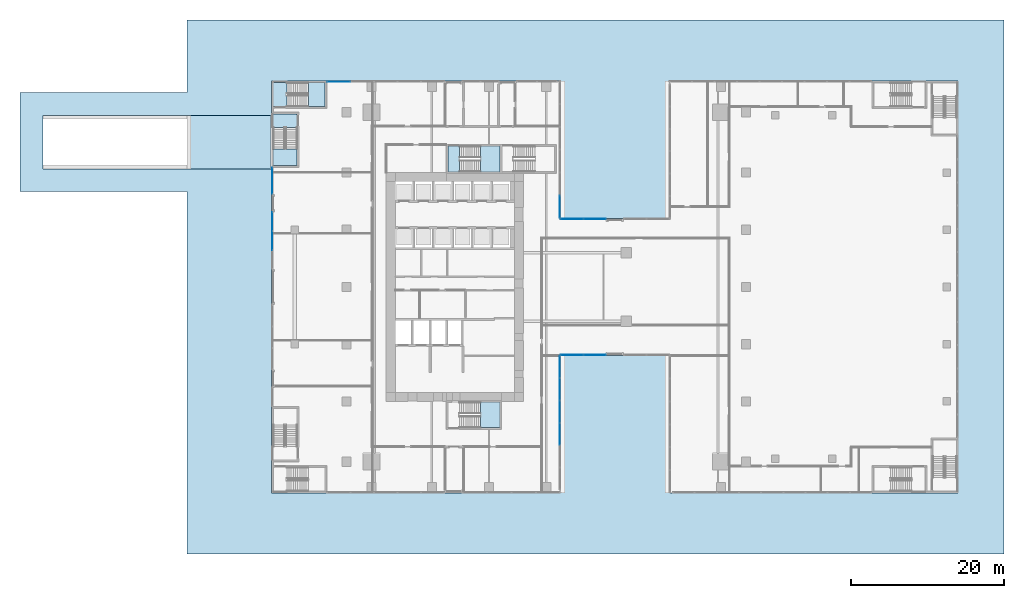
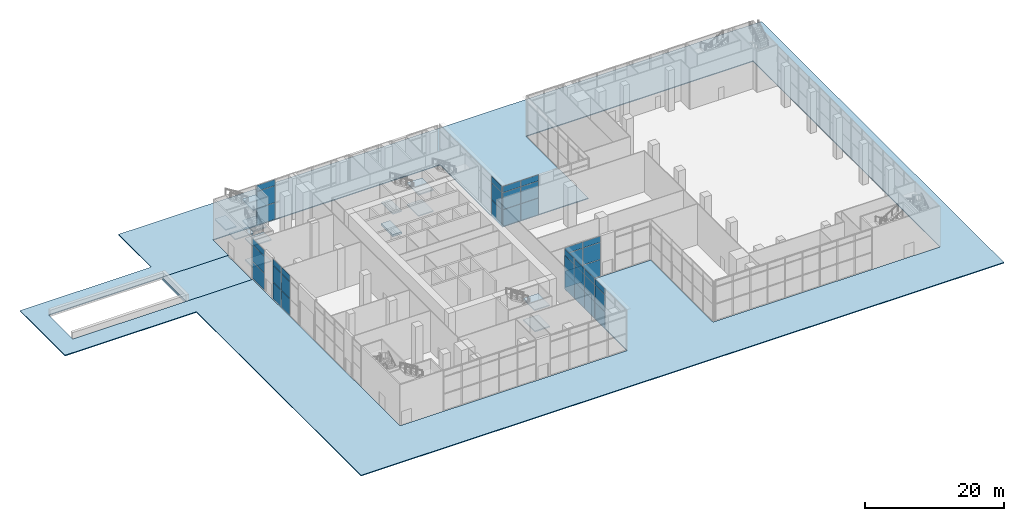
# One storey, part 32 of 52: 39 plates, 14 slabs, 11 elements without a shape of their own.
"""IFC4 building model written with IfcOpenShell, lengths in metres."""

from ifc_helpers import new_model, si_unit, direction, frame, origin, origin_2d, place, context, subcontext, project, spatial, polyline, rectangle, outline, extrude, source, transform, mapped, material, layer, layer_set, type_object, element, aggregate, save


model = new_model("IFC4")

# Units and contexts
model_context = context("Model", 3, precision=1e-05, world=origin(), true_north=direction((0.0, 1.0)))
body_context = subcontext(model_context, "Body", "Model", "MODEL_VIEW")
ifc_project = project(units=[si_unit("LENGTHUNIT", "METRE"), si_unit("AREAUNIT", "SQUARE_METRE"), si_unit("VOLUMEUNIT", "CUBIC_METRE"), si_unit("PLANEANGLEUNIT", "RADIAN"), si_unit("MASSUNIT", "GRAM", prefix="KILO")], contexts=[model_context])

# Site, building, storey
site_placement = place(None, origin())
site = spatial("IfcSite", under=ifc_project, at=site_placement, CompositionType="ELEMENT")
building_placement = place(site_placement, origin())
building = spatial("IfcBuilding", under=site, at=building_placement, Name="Khomas Fold Tower", CompositionType="ELEMENT")
storey_placement = place(building_placement, origin())
storey = spatial("IfcBuildingStorey", under=building, at=storey_placement, Name="L00", CompositionType="ELEMENT", Elevation=0.0)

# Curtain wall, plates
ifc_material_1 = material(Name="Aluminium framed double glazing", Category="aluminium")
curtain_wall_type = type_object("IfcCurtainWallType", Name="Shopfront glazing PD-CW", PredefinedType="NOTDEFINED", material=ifc_material_1)
curtain_wall_1_placement = place(storey_placement, origin())
curtain_wall_1 = element("IfcCurtainWall", 1, at=curtain_wall_1_placement, inside=storey, type_object=curtain_wall_type, Name="Podium shopfront run", PredefinedType="NOTDEFINED")
ifc_material_2 = material(Name="Double glazed unit")
ifc_layer_1 = layer(ifc_material_2, 0.031982421875)
ifc_layer_set_1 = layer_set([ifc_layer_1], Name="Double glazed unit")
plate_type = type_object("IfcPlateType", Name="Shopfront glazing panel PD-CW-P", PredefinedType="CURTAIN_PANEL", material=ifc_layer_set_1)
shared_shape_1 = source(origin(), body_context, "Body", "SweptSolid", [
    extrude(rectangle(XDim=3.419921875, YDim=0.031982421875, at=origin_2d()), origin(), (0.0, 0.0, 1.0), 2.909912109375),
])
plate_1_placement = place(storey_placement, frame((-8.919921875, 40.919921875, 0.06005859375), z_axis=(0.0, 0.0, 1.0), x_axis=(0.0, -1.0, 0.0)))
plate_1 = element("IfcPlate", 2, at=plate_1_placement, type_object=plate_type, Name="PD-CW panel 1.1", PredefinedType="CURTAIN_PANEL", context=body_context, shape_type="MappedRepresentation", body=[
    mapped(shared_shape_1, transform((0.0, 0.0, 0.0))),
])
shared_shape_2 = source(origin(), body_context, "Body", "SweptSolid", [
    extrude(rectangle(XDim=3.419921875, YDim=0.031982421875, at=origin_2d()), origin(), (0.0, 0.0, 1.0), 2.93994140625),
])
plate_2_placement = place(storey_placement, frame((-8.919921875, 40.919921875, 3.030029296875), z_axis=(0.0, 0.0, 1.0), x_axis=(0.0, -1.0, 0.0)))
plate_2 = element("IfcPlate", 3, at=plate_2_placement, type_object=plate_type, Name="PD-CW panel 1.2", PredefinedType="CURTAIN_PANEL", context=body_context, shape_type="MappedRepresentation", body=[
    mapped(shared_shape_2, transform((0.0, 0.0, 0.0))),
])
shared_shape_3 = source(origin(), body_context, "Body", "SweptSolid", [
    extrude(rectangle(XDim=3.419921875, YDim=0.031982421875, at=origin_2d()), origin(), (0.0, 0.0, 1.0), 1.06005859375),
])
plate_3_placement = place(storey_placement, frame((-8.919921875, 40.919921875, 6.030029296875), z_axis=(0.0, 0.0, 1.0), x_axis=(0.0, -1.0, 0.0)))
plate_3 = element("IfcPlate", 4, at=plate_3_placement, type_object=plate_type, Name="PD-CW panel 1.3", PredefinedType="CURTAIN_PANEL", context=body_context, shape_type="MappedRepresentation", body=[
    mapped(shared_shape_3, transform((0.0, 0.0, 0.0))),
])
aggregate(curtain_wall_1, [plate_1, plate_2, plate_3])

curtain_wall_2_placement = place(storey_placement, origin())
curtain_wall_2 = element("IfcCurtainWall", 5, at=curtain_wall_2_placement, inside=storey, type_object=curtain_wall_type, Name="Podium shopfront run", PredefinedType="NOTDEFINED")
shared_shape_4 = source(origin(), body_context, "Body", "SweptSolid", [
    extrude(rectangle(XDim=2.4267578125, YDim=0.031982421875, at=origin_2d()), origin(), (0.0, 0.0, 1.0), 2.909912109375),
])
plate_4_placement = place(storey_placement, frame((-8.919921875, 35.57666015625, 0.06005859375), z_axis=(0.0, 0.0, 1.0), x_axis=(0.0, -1.0, 0.0)))
plate_4 = element("IfcPlate", 6, at=plate_4_placement, type_object=plate_type, Name="PD-CW panel 1.1", PredefinedType="CURTAIN_PANEL", context=body_context, shape_type="MappedRepresentation", body=[
    mapped(shared_shape_4, transform((0.0, 0.0, 0.0))),
])
shared_shape_5 = source(origin(), body_context, "Body", "SweptSolid", [
    extrude(rectangle(XDim=2.4267578125, YDim=0.031982421875, at=origin_2d()), origin(), (0.0, 0.0, 1.0), 2.93994140625),
])
plate_5_placement = place(storey_placement, frame((-8.919921875, 35.57666015625, 3.030029296875), z_axis=(0.0, 0.0, 1.0), x_axis=(0.0, -1.0, 0.0)))
plate_5 = element("IfcPlate", 7, at=plate_5_placement, type_object=plate_type, Name="PD-CW panel 1.2", PredefinedType="CURTAIN_PANEL", context=body_context, shape_type="MappedRepresentation", body=[
    mapped(shared_shape_5, transform((0.0, 0.0, 0.0))),
])
shared_shape_6 = source(origin(), body_context, "Body", "SweptSolid", [
    extrude(rectangle(XDim=2.4267578125, YDim=0.031982421875, at=origin_2d()), origin(), (0.0, 0.0, 1.0), 1.06005859375),
])
plate_6_placement = place(storey_placement, frame((-8.919921875, 35.57666015625, 6.030029296875), z_axis=(0.0, 0.0, 1.0), x_axis=(0.0, -1.0, 0.0)))
plate_6 = element("IfcPlate", 8, at=plate_6_placement, type_object=plate_type, Name="PD-CW panel 1.3", PredefinedType="CURTAIN_PANEL", context=body_context, shape_type="MappedRepresentation", body=[
    mapped(shared_shape_6, transform((0.0, 0.0, 0.0))),
])
shared_shape_7 = source(origin(), body_context, "Body", "SweptSolid", [
    extrude(rectangle(XDim=2.456787109375, YDim=0.031982421875, at=origin_2d()), origin(), (0.0, 0.0, 1.0), 2.909912109375),
])
plate_7_placement = place(storey_placement, frame((-8.919921875, 33.074951171875, 0.06005859375), z_axis=(0.0, 0.0, 1.0), x_axis=(0.0, -1.0, 0.0)))
plate_7 = element("IfcPlate", 9, at=plate_7_placement, type_object=plate_type, Name="PD-CW panel 2.1", PredefinedType="CURTAIN_PANEL", context=body_context, shape_type="MappedRepresentation", body=[
    mapped(shared_shape_7, transform((0.0, 0.0, 0.0))),
])
shared_shape_8 = source(origin(), body_context, "Body", "SweptSolid", [
    extrude(rectangle(XDim=2.456787109375, YDim=0.031982421875, at=origin_2d()), origin(), (0.0, 0.0, 1.0), 2.93994140625),
])
plate_8_placement = place(storey_placement, frame((-8.919921875, 33.074951171875, 3.030029296875), z_axis=(0.0, 0.0, 1.0), x_axis=(0.0, -1.0, 0.0)))
plate_8 = element("IfcPlate", 10, at=plate_8_placement, type_object=plate_type, Name="PD-CW panel 2.2", PredefinedType="CURTAIN_PANEL", context=body_context, shape_type="MappedRepresentation", body=[
    mapped(shared_shape_8, transform((0.0, 0.0, 0.0))),
])
shared_shape_9 = source(origin(), body_context, "Body", "SweptSolid", [
    extrude(rectangle(XDim=2.456787109375, YDim=0.031982421875, at=origin_2d()), origin(), (0.0, 0.0, 1.0), 1.06005859375),
])
plate_9_placement = place(storey_placement, frame((-8.919921875, 33.074951171875, 6.030029296875), z_axis=(0.0, 0.0, 1.0), x_axis=(0.0, -1.0, 0.0)))
plate_9 = element("IfcPlate", 11, at=plate_9_placement, type_object=plate_type, Name="PD-CW panel 2.3", PredefinedType="CURTAIN_PANEL", context=body_context, shape_type="MappedRepresentation", body=[
    mapped(shared_shape_9, transform((0.0, 0.0, 0.0))),
])
aggregate(curtain_wall_2, [plate_4, plate_5, plate_6, plate_7, plate_8, plate_9])

curtain_wall_3_placement = place(storey_placement, origin())
curtain_wall_3 = element("IfcCurtainWall", 12, at=curtain_wall_3_placement, inside=storey, type_object=curtain_wall_type, Name="Podium shopfront run", PredefinedType="NOTDEFINED")
shared_shape_10 = source(origin(), body_context, "Body", "SweptSolid", [
    extrude(rectangle(XDim=3.008056640625, YDim=0.031982421875, at=origin_2d()), origin(), (0.0, 0.0, 1.0), 2.909912109375),
])
plate_10_placement = place(storey_placement, frame((-0.22607421875, 53.919921875, 0.06005859375), z_axis=(0.0, 0.0, 1.0), x_axis=(-1.0, 0.0, 0.0)))
plate_10 = element("IfcPlate", 13, at=plate_10_placement, type_object=plate_type, Name="PD-CW panel 5.1", PredefinedType="CURTAIN_PANEL", context=body_context, shape_type="MappedRepresentation", body=[
    mapped(shared_shape_10, transform((0.0, 0.0, 0.0))),
])
shared_shape_11 = source(origin(), body_context, "Body", "SweptSolid", [
    extrude(rectangle(XDim=3.008056640625, YDim=0.031982421875, at=origin_2d()), origin(), (0.0, 0.0, 1.0), 2.93994140625),
])
plate_11_placement = place(storey_placement, frame((-0.22607421875, 53.919921875, 3.030029296875), z_axis=(0.0, 0.0, 1.0), x_axis=(-1.0, 0.0, 0.0)))
plate_11 = element("IfcPlate", 14, at=plate_11_placement, type_object=plate_type, Name="PD-CW panel 5.2", PredefinedType="CURTAIN_PANEL", context=body_context, shape_type="MappedRepresentation", body=[
    mapped(shared_shape_11, transform((0.0, 0.0, 0.0))),
])
shared_shape_12 = source(origin(), body_context, "Body", "SweptSolid", [
    extrude(rectangle(XDim=3.008056640625, YDim=0.031982421875, at=origin_2d()), origin(), (0.0, 0.0, 1.0), 1.06005859375),
])
plate_12_placement = place(storey_placement, frame((-0.22607421875, 53.919921875, 6.030029296875), z_axis=(0.0, 0.0, 1.0), x_axis=(-1.0, 0.0, 0.0)))
plate_12 = element("IfcPlate", 15, at=plate_12_placement, type_object=plate_type, Name="PD-CW panel 5.3", PredefinedType="CURTAIN_PANEL", context=body_context, shape_type="MappedRepresentation", body=[
    mapped(shared_shape_12, transform((0.0, 0.0, 0.0))),
])
aggregate(curtain_wall_3, [plate_10, plate_11, plate_12])

curtain_wall_4_placement = place(storey_placement, origin())
curtain_wall_4 = element("IfcCurtainWall", 16, at=curtain_wall_4_placement, inside=storey, type_object=curtain_wall_type, Name="Podium shopfront run", PredefinedType="NOTDEFINED")
shared_shape_13 = source(origin(), body_context, "Body", "SweptSolid", [
    extrude(rectangle(XDim=2.84326171875, YDim=0.031982421875, at=origin_2d()), origin(), (0.0, 0.0, 1.0), 2.909912109375),
])
plate_13_placement = place(storey_placement, frame((28.77001953125, 16.518310546875, 0.06005859375), z_axis=(0.0, 0.0, 1.0), x_axis=(0.0, 1.0, 0.0)))
plate_13 = element("IfcPlate", 17, at=plate_13_placement, type_object=plate_type, Name="PD-CW panel 6.1", PredefinedType="CURTAIN_PANEL", context=body_context, shape_type="MappedRepresentation", body=[
    mapped(shared_shape_13, transform((0.0, 0.0, 0.0))),
])
shared_shape_14 = source(origin(), body_context, "Body", "SweptSolid", [
    extrude(rectangle(XDim=2.84326171875, YDim=0.031982421875, at=origin_2d()), origin(), (0.0, 0.0, 1.0), 2.93994140625),
])
plate_14_placement = place(storey_placement, frame((28.77001953125, 16.518310546875, 3.030029296875), z_axis=(0.0, 0.0, 1.0), x_axis=(0.0, 1.0, 0.0)))
plate_14 = element("IfcPlate", 18, at=plate_14_placement, type_object=plate_type, Name="PD-CW panel 6.2", PredefinedType="CURTAIN_PANEL", context=body_context, shape_type="MappedRepresentation", body=[
    mapped(shared_shape_14, transform((0.0, 0.0, 0.0))),
])
shared_shape_15 = source(origin(), body_context, "Body", "SweptSolid", [
    extrude(rectangle(XDim=2.84326171875, YDim=0.031982421875, at=origin_2d()), origin(), (0.0, 0.0, 1.0), 1.06005859375),
])
plate_15_placement = place(storey_placement, frame((28.77001953125, 16.518310546875, 6.030029296875), z_axis=(0.0, 0.0, 1.0), x_axis=(0.0, 1.0, 0.0)))
plate_15 = element("IfcPlate", 19, at=plate_15_placement, type_object=plate_type, Name="PD-CW panel 6.3", PredefinedType="CURTAIN_PANEL", context=body_context, shape_type="MappedRepresentation", body=[
    mapped(shared_shape_15, transform((0.0, 0.0, 0.0))),
])
shared_shape_16 = source(origin(), body_context, "Body", "SweptSolid", [
    extrude(rectangle(XDim=2.873291015625, YDim=0.031982421875, at=origin_2d()), origin(), (0.0, 0.0, 1.0), 2.909912109375),
])
plate_16_placement = place(storey_placement, frame((28.77001953125, 7.7333984375, 0.06005859375), z_axis=(0.0, 0.0, 1.0), x_axis=(0.0, 1.0, 0.0)))
plate_16 = element("IfcPlate", 20, at=plate_16_placement, type_object=plate_type, Name="PD-CW panel 3.1", PredefinedType="CURTAIN_PANEL", context=body_context, shape_type="MappedRepresentation", body=[
    mapped(shared_shape_16, transform((0.0, 0.0, 0.0))),
])
plate_17_placement = place(storey_placement, frame((28.77001953125, 10.666748046875, 0.06005859375), z_axis=(0.0, 0.0, 1.0), x_axis=(0.0, 1.0, 0.0)))
plate_17 = element("IfcPlate", 21, at=plate_17_placement, type_object=plate_type, Name="PD-CW panel 4.1", PredefinedType="CURTAIN_PANEL", context=body_context, shape_type="MappedRepresentation", body=[
    mapped(shared_shape_16, transform((0.0, 0.0, 0.0))),
])
plate_18_placement = place(storey_placement, frame((28.77001953125, 13.60009765625, 0.06005859375), z_axis=(0.0, 0.0, 1.0), x_axis=(0.0, 1.0, 0.0)))
plate_18 = element("IfcPlate", 22, at=plate_18_placement, type_object=plate_type, Name="PD-CW panel 5.1", PredefinedType="CURTAIN_PANEL", context=body_context, shape_type="MappedRepresentation", body=[
    mapped(shared_shape_16, transform((0.0, 0.0, 0.0))),
])
shared_shape_17 = source(origin(), body_context, "Body", "SweptSolid", [
    extrude(rectangle(XDim=2.873291015625, YDim=0.031982421875, at=origin_2d()), origin(), (0.0, 0.0, 1.0), 2.93994140625),
])
plate_19_placement = place(storey_placement, frame((28.77001953125, 7.7333984375, 3.030029296875), z_axis=(0.0, 0.0, 1.0), x_axis=(0.0, 1.0, 0.0)))
plate_19 = element("IfcPlate", 23, at=plate_19_placement, type_object=plate_type, Name="PD-CW panel 3.2", PredefinedType="CURTAIN_PANEL", context=body_context, shape_type="MappedRepresentation", body=[
    mapped(shared_shape_17, transform((0.0, 0.0, 0.0))),
])
plate_20_placement = place(storey_placement, frame((28.77001953125, 10.666748046875, 3.030029296875), z_axis=(0.0, 0.0, 1.0), x_axis=(0.0, 1.0, 0.0)))
plate_20 = element("IfcPlate", 24, at=plate_20_placement, type_object=plate_type, Name="PD-CW panel 4.2", PredefinedType="CURTAIN_PANEL", context=body_context, shape_type="MappedRepresentation", body=[
    mapped(shared_shape_17, transform((0.0, 0.0, 0.0))),
])
plate_21_placement = place(storey_placement, frame((28.77001953125, 13.60009765625, 3.030029296875), z_axis=(0.0, 0.0, 1.0), x_axis=(0.0, 1.0, 0.0)))
plate_21 = element("IfcPlate", 25, at=plate_21_placement, type_object=plate_type, Name="PD-CW panel 5.2", PredefinedType="CURTAIN_PANEL", context=body_context, shape_type="MappedRepresentation", body=[
    mapped(shared_shape_17, transform((0.0, 0.0, 0.0))),
])
shared_shape_18 = source(origin(), body_context, "Body", "SweptSolid", [
    extrude(rectangle(XDim=2.873291015625, YDim=0.031982421875, at=origin_2d()), origin(), (0.0, 0.0, 1.0), 1.06005859375),
])
plate_22_placement = place(storey_placement, frame((28.77001953125, 7.7333984375, 6.030029296875), z_axis=(0.0, 0.0, 1.0), x_axis=(0.0, 1.0, 0.0)))
plate_22 = element("IfcPlate", 26, at=plate_22_placement, type_object=plate_type, Name="PD-CW panel 3.3", PredefinedType="CURTAIN_PANEL", context=body_context, shape_type="MappedRepresentation", body=[
    mapped(shared_shape_18, transform((0.0, 0.0, 0.0))),
])
plate_23_placement = place(storey_placement, frame((28.77001953125, 10.666748046875, 6.030029296875), z_axis=(0.0, 0.0, 1.0), x_axis=(0.0, 1.0, 0.0)))
plate_23 = element("IfcPlate", 27, at=plate_23_placement, type_object=plate_type, Name="PD-CW panel 4.3", PredefinedType="CURTAIN_PANEL", context=body_context, shape_type="MappedRepresentation", body=[
    mapped(shared_shape_18, transform((0.0, 0.0, 0.0))),
])
plate_24_placement = place(storey_placement, frame((28.77001953125, 13.60009765625, 6.030029296875), z_axis=(0.0, 0.0, 1.0), x_axis=(0.0, 1.0, 0.0)))
plate_24 = element("IfcPlate", 28, at=plate_24_placement, type_object=plate_type, Name="PD-CW panel 5.3", PredefinedType="CURTAIN_PANEL", context=body_context, shape_type="MappedRepresentation", body=[
    mapped(shared_shape_18, transform((0.0, 0.0, 0.0))),
])
aggregate(curtain_wall_4, [plate_16, plate_19, plate_22, plate_17, plate_20, plate_23, plate_18, plate_21, plate_24, plate_13, plate_14, plate_15])

curtain_wall_5_placement = place(storey_placement, origin())
curtain_wall_5 = element("IfcCurtainWall", 29, at=curtain_wall_5_placement, inside=storey, type_object=curtain_wall_type, Name="Podium shopfront run", PredefinedType="NOTDEFINED")
shared_shape_19 = source(origin(), body_context, "Body", "SweptSolid", [
    extrude(rectangle(XDim=2.909912109375, YDim=0.031982421875, at=origin_2d()), origin(), (0.0, 0.0, 1.0), 2.909912109375),
])
plate_25_placement = place(storey_placement, frame((30.364990234375, 18.080078125, 0.06005859375), z_axis=(0.0, 0.0, 1.0), x_axis=(1.0, 0.0, 0.0)))
plate_25 = element("IfcPlate", 30, at=plate_25_placement, type_object=plate_type, Name="PD-CW panel 1.1", PredefinedType="CURTAIN_PANEL", context=body_context, shape_type="MappedRepresentation", body=[
    mapped(shared_shape_19, transform((0.0, 0.0, 0.0))),
])
plate_26_placement = place(storey_placement, frame((33.3349609375, 18.080078125, 0.06005859375), z_axis=(0.0, 0.0, 1.0), x_axis=(1.0, 0.0, 0.0)))
plate_26 = element("IfcPlate", 31, at=plate_26_placement, type_object=plate_type, Name="PD-CW panel 2.1", PredefinedType="CURTAIN_PANEL", context=body_context, shape_type="MappedRepresentation", body=[
    mapped(shared_shape_19, transform((0.0, 0.0, 0.0))),
])

curtain_wall_6_placement = place(storey_placement, origin())
curtain_wall_6 = element("IfcCurtainWall", 32, at=curtain_wall_6_placement, inside=storey, type_object=curtain_wall_type, Name="Podium shopfront run", PredefinedType="NOTDEFINED")
plate_27_placement = place(storey_placement, frame((33.3349609375, 35.919921875, 0.06005859375), z_axis=(0.0, 0.0, 1.0), x_axis=(-1.0, 0.0, 0.0)))
plate_27 = element("IfcPlate", 33, at=plate_27_placement, type_object=plate_type, Name="PD-CW panel 1.1", PredefinedType="CURTAIN_PANEL", context=body_context, shape_type="MappedRepresentation", body=[
    mapped(shared_shape_19, transform((0.0, 0.0, 0.0))),
])
plate_28_placement = place(storey_placement, frame((30.364990234375, 35.919921875, 0.06005859375), z_axis=(0.0, 0.0, 1.0), x_axis=(-1.0, 0.0, 0.0)))
plate_28 = element("IfcPlate", 34, at=plate_28_placement, type_object=plate_type, Name="PD-CW panel 2.1", PredefinedType="CURTAIN_PANEL", context=body_context, shape_type="MappedRepresentation", body=[
    mapped(shared_shape_19, transform((0.0, 0.0, 0.0))),
])

# Curtain wall, plate
curtain_wall_7_placement = place(storey_placement, origin())
curtain_wall_7 = element("IfcCurtainWall", 35, at=curtain_wall_7_placement, inside=storey, type_object=curtain_wall_type, Name="Podium shopfront run", PredefinedType="NOTDEFINED")
plate_29_placement = place(storey_placement, frame((28.77001953125, 37.514892578125, 0.06005859375), z_axis=(0.0, 0.0, 1.0), x_axis=(0.0, 1.0, 0.0)))
plate_29 = element("IfcPlate", 36, at=plate_29_placement, type_object=plate_type, Name="PD-CW panel 1.1", PredefinedType="CURTAIN_PANEL", context=body_context, shape_type="MappedRepresentation", body=[
    mapped(shared_shape_19, transform((0.0, 0.0, 0.0))),
])

# Plate
shared_shape_20 = source(origin(), body_context, "Body", "SweptSolid", [
    extrude(rectangle(XDim=2.909912109375, YDim=0.031982421875, at=origin_2d()), origin(), (0.0, 0.0, 1.0), 2.93994140625),
])
plate_30_placement = place(storey_placement, frame((30.364990234375, 18.080078125, 3.030029296875), z_axis=(0.0, 0.0, 1.0), x_axis=(1.0, 0.0, 0.0)))
plate_30 = element("IfcPlate", 37, at=plate_30_placement, type_object=plate_type, Name="PD-CW panel 1.2", PredefinedType="CURTAIN_PANEL", context=body_context, shape_type="MappedRepresentation", body=[
    mapped(shared_shape_20, transform((0.0, 0.0, 0.0))),
])

plate_31_placement = place(storey_placement, frame((33.3349609375, 18.080078125, 3.030029296875), z_axis=(0.0, 0.0, 1.0), x_axis=(1.0, 0.0, 0.0)))
plate_31 = element("IfcPlate", 38, at=plate_31_placement, type_object=plate_type, Name="PD-CW panel 2.2", PredefinedType="CURTAIN_PANEL", context=body_context, shape_type="MappedRepresentation", body=[
    mapped(shared_shape_20, transform((0.0, 0.0, 0.0))),
])

plate_32_placement = place(storey_placement, frame((33.3349609375, 35.919921875, 3.030029296875), z_axis=(0.0, 0.0, 1.0), x_axis=(-1.0, 0.0, 0.0)))
plate_32 = element("IfcPlate", 39, at=plate_32_placement, type_object=plate_type, Name="PD-CW panel 1.2", PredefinedType="CURTAIN_PANEL", context=body_context, shape_type="MappedRepresentation", body=[
    mapped(shared_shape_20, transform((0.0, 0.0, 0.0))),
])

plate_33_placement = place(storey_placement, frame((30.364990234375, 35.919921875, 3.030029296875), z_axis=(0.0, 0.0, 1.0), x_axis=(-1.0, 0.0, 0.0)))
plate_33 = element("IfcPlate", 40, at=plate_33_placement, type_object=plate_type, Name="PD-CW panel 2.2", PredefinedType="CURTAIN_PANEL", context=body_context, shape_type="MappedRepresentation", body=[
    mapped(shared_shape_20, transform((0.0, 0.0, 0.0))),
])

plate_34_placement = place(storey_placement, frame((28.77001953125, 37.514892578125, 3.030029296875), z_axis=(0.0, 0.0, 1.0), x_axis=(0.0, 1.0, 0.0)))
plate_34 = element("IfcPlate", 41, at=plate_34_placement, type_object=plate_type, Name="PD-CW panel 1.2", PredefinedType="CURTAIN_PANEL", context=body_context, shape_type="MappedRepresentation", body=[
    mapped(shared_shape_20, transform((0.0, 0.0, 0.0))),
])

shared_shape_21 = source(origin(), body_context, "Body", "SweptSolid", [
    extrude(rectangle(XDim=2.909912109375, YDim=0.031982421875, at=origin_2d()), origin(), (0.0, 0.0, 1.0), 1.06005859375),
])
plate_35_placement = place(storey_placement, frame((30.364990234375, 18.080078125, 6.030029296875), z_axis=(0.0, 0.0, 1.0), x_axis=(1.0, 0.0, 0.0)))
plate_35 = element("IfcPlate", 42, at=plate_35_placement, type_object=plate_type, Name="PD-CW panel 1.3", PredefinedType="CURTAIN_PANEL", context=body_context, shape_type="MappedRepresentation", body=[
    mapped(shared_shape_21, transform((0.0, 0.0, 0.0))),
])

plate_36_placement = place(storey_placement, frame((33.3349609375, 18.080078125, 6.030029296875), z_axis=(0.0, 0.0, 1.0), x_axis=(1.0, 0.0, 0.0)))
plate_36 = element("IfcPlate", 43, at=plate_36_placement, type_object=plate_type, Name="PD-CW panel 2.3", PredefinedType="CURTAIN_PANEL", context=body_context, shape_type="MappedRepresentation", body=[
    mapped(shared_shape_21, transform((0.0, 0.0, 0.0))),
])

aggregate(curtain_wall_5, [plate_25, plate_30, plate_35, plate_26, plate_31, plate_36])

plate_37_placement = place(storey_placement, frame((33.3349609375, 35.919921875, 6.030029296875), z_axis=(0.0, 0.0, 1.0), x_axis=(-1.0, 0.0, 0.0)))
plate_37 = element("IfcPlate", 44, at=plate_37_placement, type_object=plate_type, Name="PD-CW panel 1.3", PredefinedType="CURTAIN_PANEL", context=body_context, shape_type="MappedRepresentation", body=[
    mapped(shared_shape_21, transform((0.0, 0.0, 0.0))),
])

plate_38_placement = place(storey_placement, frame((30.364990234375, 35.919921875, 6.030029296875), z_axis=(0.0, 0.0, 1.0), x_axis=(-1.0, 0.0, 0.0)))
plate_38 = element("IfcPlate", 45, at=plate_38_placement, type_object=plate_type, Name="PD-CW panel 2.3", PredefinedType="CURTAIN_PANEL", context=body_context, shape_type="MappedRepresentation", body=[
    mapped(shared_shape_21, transform((0.0, 0.0, 0.0))),
])

aggregate(curtain_wall_6, [plate_27, plate_32, plate_37, plate_28, plate_33, plate_38])

plate_39_placement = place(storey_placement, frame((28.77001953125, 37.514892578125, 6.030029296875), z_axis=(0.0, 0.0, 1.0), x_axis=(0.0, 1.0, 0.0)))
plate_39 = element("IfcPlate", 46, at=plate_39_placement, type_object=plate_type, Name="PD-CW panel 1.3", PredefinedType="CURTAIN_PANEL", context=body_context, shape_type="MappedRepresentation", body=[
    mapped(shared_shape_21, transform((0.0, 0.0, 0.0))),
])

aggregate(curtain_wall_7, [plate_29, plate_34, plate_39])

# Slabs
ifc_material_3 = material(Name="Natural stone paving", Category="masonry")
ifc_layer_2 = layer(ifc_material_3, 0.14990234375)
ifc_layer_set_2 = layer_set([ifc_layer_2], Name="Natural stone paving")
slab_type_1 = type_object("IfcSlabType", Name="Natural stone plaza paving 150", PredefinedType="USERDEFINED", material=ifc_layer_set_2)
shared_shape_22 = source(origin(), body_context, "Body", "SweptSolid", [
    extrude(outline(polyline([(-20.09814453125, 52.5), (-41.99462890625, 52.5), (-41.99462890625, 39.5), (-20.09814453125, 39.5), (-20.09814453125, -8.0), (87.0, -8.0), (87.0, 62.0), (-20.09814453125, 62.0), (-20.09814453125, 52.5)]), holes=[polyline([(-9.0, 0.0), (28.85009765625, 0.0), (28.85009765625, 18.0), (43.14990234375, 18.0), (43.14990234375, 0.0), (81.0, 0.0), (81.0, 54.0), (43.14990234375, 54.0), (43.14990234375, 36.0), (28.85009765625, 36.0), (28.85009765625, 54.0), (-9.0, 54.0), (-9.0, 49.5), (-20.09814453125, 49.5), (-38.99462890625, 49.5), (-38.99462890625, 42.5), (-20.09814453125, 42.5), (-9.0, 42.5), (-9.0, 0.0)])]), origin(), (0.0, 0.0, 1.0), 0.14990234375),
])
slab_1_placement = place(storey_placement, frame((0.0, 0.0, -0.14990234375)))
element("IfcSlab", 47, at=slab_1_placement, inside=storey, type_object=slab_type_1, Name="Plaza paving", ObjectType="PAVING", PredefinedType="USERDEFINED", context=body_context, shape_type="MappedRepresentation", body=[
    mapped(shared_shape_22, transform((0.0, 0.0, 0.0))),
])
ifc_material_4 = material(Name="Concrete C40/50", Category="concrete")
ifc_layer_3 = layer(ifc_material_4, 0.39990234375)
ifc_layer_set_3 = layer_set([ifc_layer_3], Name="Concrete C40/50")
slab_type_2 = type_object("IfcSlabType", Name="Ramp cover slab 400", PredefinedType="FLOOR", material=ifc_layer_set_3)
shared_shape_23 = source(origin(), body_context, "Body", "SweptSolid", [
    extrude(outline(polyline([(-9.14990234375, 42.5), (-9.14990234375, 49.5), (-20.09814453125, 49.5), (-20.09814453125, 42.5), (-9.14990234375, 42.5)])), origin(), (0.0, 0.0, 1.0), 0.39990234375),
])
slab_2_placement = place(storey_placement, frame((0.0, 0.0, -0.39990234375)))
element("IfcSlab", 48, at=slab_2_placement, inside=storey, type_object=slab_type_2, Name="Ramp cover slab", PredefinedType="FLOOR", context=body_context, shape_type="MappedRepresentation", body=[
    mapped(shared_shape_23, transform((0.0, 0.0, 0.0))),
])

# Stair, slabs
ifc_material_5 = material(Name="Concrete C40/50", Category="concrete")
stair_type_1 = type_object("IfcStairType", Name="Stair ST1", PredefinedType="HALF_TURN_STAIR", material=ifc_material_5)
stair_1_placement = place(storey_placement, origin())
stair_1 = element("IfcStair", 49, at=stair_1_placement, inside=storey, type_object=stair_type_1, Name="L00 ST1", PredefinedType="HALF_TURN_STAIR")
ifc_material_6 = material(Name="Concrete C40/50", Category="concrete")
ifc_layer_4 = layer(ifc_material_6, 0.199951171875)
ifc_layer_set_4 = layer_set([ifc_layer_4], Name="Concrete C40/50")
slab_type_3 = type_object("IfcSlabType", Name="Stair landing 200", PredefinedType="LANDING", material=ifc_layer_set_4)
shared_shape_24 = source(origin(), body_context, "Body", "SweptSolid", [
    extrude(outline(polyline([(18.39990234375, 42.10009765625), (20.89990234375, 42.10009765625), (20.89990234375, 45.449951171875), (18.39990234375, 45.449951171875), (18.39990234375, 42.10009765625)])), origin(), (0.0, 0.0, 1.0), 0.199951171875),
])
slab_3_placement = place(storey_placement, frame((0.0, 0.0, 1.675048828125)))
slab_3 = element("IfcSlab", 50, at=slab_3_placement, type_object=slab_type_3, Name="ST1 landing 1", PredefinedType="LANDING", context=body_context, shape_type="MappedRepresentation", body=[
    mapped(shared_shape_24, transform((0.0, 0.0, 0.0))),
])
slab_4_placement = place(storey_placement, frame((0.0, 0.0, 5.425048828125)))
slab_4 = element("IfcSlab", 51, at=slab_4_placement, type_object=slab_type_3, Name="ST1 landing 3", PredefinedType="LANDING", context=body_context, shape_type="MappedRepresentation", body=[
    mapped(shared_shape_24, transform((0.0, 0.0, 0.0))),
])
shared_shape_25 = source(origin(), body_context, "Body", "SweptSolid", [
    extrude(outline(polyline([(14.10009765625, 42.10009765625), (15.60009765625, 42.10009765625), (15.60009765625, 45.449951171875), (14.10009765625, 45.449951171875), (14.10009765625, 42.10009765625)])), origin(), (0.0, 0.0, 1.0), 0.199951171875),
])
slab_5_placement = place(storey_placement, frame((0.0, 0.0, 3.550048828125)))
slab_5 = element("IfcSlab", 52, at=slab_5_placement, type_object=slab_type_3, Name="ST1 landing 2", PredefinedType="LANDING", context=body_context, shape_type="MappedRepresentation", body=[
    mapped(shared_shape_25, transform((0.0, 0.0, 0.0))),
])
aggregate(stair_1, [slab_3, slab_5, slab_4])

# Slab
ifc_material_7 = material(Name="Concrete C40/50", Category="concrete")
ifc_layer_5 = layer(ifc_material_7, 0.35009765625)
ifc_layer_set_5 = layer_set([ifc_layer_5], Name="Concrete C40/50")
slab_type_4 = type_object("IfcSlabType", Name="Stair floor landing 350", PredefinedType="LANDING", material=ifc_layer_set_5)
shared_shape_26 = source(origin(), body_context, "Body", "SweptSolid", [
    extrude(outline(polyline([(15.60009765625, 42.10009765625), (14.10009765625, 42.10009765625), (14.10009765625, 45.449951171875), (15.60009765625, 45.449951171875), (15.60009765625, 42.10009765625)])), origin(), (0.0, 0.0, 1.0), 0.35009765625),
])
slab_6_placement = place(storey_placement, frame((0.0, 0.0, -0.35009765625)))
element("IfcSlab", 53, at=slab_6_placement, inside=storey, type_object=slab_type_4, Name="ST1 floor landing", PredefinedType="LANDING", context=body_context, shape_type="MappedRepresentation", body=[
    mapped(shared_shape_26, transform((0.0, 0.0, 0.0))),
])

# Stair, slabs
ifc_material_8 = material(Name="Concrete C40/50", Category="concrete")
stair_type_2 = type_object("IfcStairType", Name="Stair ST2", PredefinedType="HALF_TURN_STAIR", material=ifc_material_8)
stair_2_placement = place(storey_placement, origin())
stair_2 = element("IfcStair", 54, at=stair_2_placement, inside=storey, type_object=stair_type_2, Name="L00 ST2", PredefinedType="HALF_TURN_STAIR")
shared_shape_27 = source(origin(), body_context, "Body", "SweptSolid", [
    extrude(outline(polyline([(18.39990234375, 8.550048828125), (20.89990234375, 8.550048828125), (20.89990234375, 11.89990234375), (18.39990234375, 11.89990234375), (18.39990234375, 8.550048828125)])), origin(), (0.0, 0.0, 1.0), 0.199951171875),
])
slab_7_placement = place(storey_placement, frame((0.0, 0.0, 1.675048828125)))
slab_7 = element("IfcSlab", 55, at=slab_7_placement, type_object=slab_type_3, Name="ST2 landing 1", PredefinedType="LANDING", context=body_context, shape_type="MappedRepresentation", body=[
    mapped(shared_shape_27, transform((0.0, 0.0, 0.0))),
])
slab_8_placement = place(storey_placement, frame((0.0, 0.0, 5.425048828125)))
slab_8 = element("IfcSlab", 56, at=slab_8_placement, type_object=slab_type_3, Name="ST2 landing 3", PredefinedType="LANDING", context=body_context, shape_type="MappedRepresentation", body=[
    mapped(shared_shape_27, transform((0.0, 0.0, 0.0))),
])
aggregate(stair_2, [slab_7, slab_8])

ifc_material_9 = material(Name="Concrete C40/50", Category="concrete")
stair_type_3 = type_object("IfcStairType", Name="Stair PS7", PredefinedType="HALF_TURN_STAIR", material=ifc_material_9)
stair_3_placement = place(storey_placement, origin())
stair_3 = element("IfcStair", 57, at=stair_3_placement, inside=storey, type_object=stair_type_3, Name="L00 PS7", PredefinedType="HALF_TURN_STAIR")
shared_shape_28 = source(origin(), body_context, "Body", "SweptSolid", [
    extrude(outline(polyline([(-4.199951171875, 50.64990234375), (-2.0, 50.64990234375), (-2.0, 53.800048828125), (-4.199951171875, 53.800048828125), (-4.199951171875, 50.64990234375)])), origin(), (0.0, 0.0, 1.0), 0.199951171875),
])
slab_9_placement = place(storey_placement, frame((0.0, 0.0, 1.675048828125)))
slab_9 = element("IfcSlab", 58, at=slab_9_placement, type_object=slab_type_3, Name="PS7 landing 1", PredefinedType="LANDING", context=body_context, shape_type="MappedRepresentation", body=[
    mapped(shared_shape_28, transform((0.0, 0.0, 0.0))),
])
slab_10_placement = place(storey_placement, frame((0.0, 0.0, 5.425048828125)))
slab_10 = element("IfcSlab", 59, at=slab_10_placement, type_object=slab_type_3, Name="PS7 landing 3", PredefinedType="LANDING", context=body_context, shape_type="MappedRepresentation", body=[
    mapped(shared_shape_28, transform((0.0, 0.0, 0.0))),
])
shared_shape_29 = source(origin(), body_context, "Body", "SweptSolid", [
    extrude(outline(polyline([(-8.800048828125, 50.64990234375), (-7.0, 50.64990234375), (-7.0, 53.800048828125), (-8.800048828125, 53.800048828125), (-8.800048828125, 50.64990234375)])), origin(), (0.0, 0.0, 1.0), 0.199951171875),
])
slab_11_placement = place(storey_placement, frame((0.0, 0.0, 3.550048828125)))
slab_11 = element("IfcSlab", 60, at=slab_11_placement, type_object=slab_type_3, Name="PS7 landing 2", PredefinedType="LANDING", context=body_context, shape_type="MappedRepresentation", body=[
    mapped(shared_shape_29, transform((0.0, 0.0, 0.0))),
])
aggregate(stair_3, [slab_9, slab_11, slab_10])

ifc_material_10 = material(Name="Concrete C40/50", Category="concrete")
stair_type_4 = type_object("IfcStairType", Name="Stair PS8", PredefinedType="HALF_TURN_STAIR", material=ifc_material_10)
stair_4_placement = place(storey_placement, origin())
stair_4 = element("IfcStair", 61, at=stair_4_placement, inside=storey, type_object=stair_type_4, Name="L00 PS8", PredefinedType="HALF_TURN_STAIR")
shared_shape_30 = source(origin(), body_context, "Body", "SweptSolid", [
    extrude(outline(polyline([(-8.800048828125, 45.10009765625), (-8.800048828125, 42.89990234375), (-5.64990234375, 42.89990234375), (-5.64990234375, 45.10009765625), (-8.800048828125, 45.10009765625)])), origin(), (0.0, 0.0, 1.0), 0.199951171875),
])
slab_12_placement = place(storey_placement, frame((0.0, 0.0, 1.675048828125)))
slab_12 = element("IfcSlab", 62, at=slab_12_placement, type_object=slab_type_3, Name="PS8 landing 1", PredefinedType="LANDING", context=body_context, shape_type="MappedRepresentation", body=[
    mapped(shared_shape_30, transform((0.0, 0.0, 0.0))),
])
slab_13_placement = place(storey_placement, frame((0.0, 0.0, 5.425048828125)))
slab_13 = element("IfcSlab", 63, at=slab_13_placement, type_object=slab_type_3, Name="PS8 landing 3", PredefinedType="LANDING", context=body_context, shape_type="MappedRepresentation", body=[
    mapped(shared_shape_30, transform((0.0, 0.0, 0.0))),
])
shared_shape_31 = source(origin(), body_context, "Body", "SweptSolid", [
    extrude(outline(polyline([(-8.800048828125, 49.699951171875), (-8.800048828125, 47.89990234375), (-5.64990234375, 47.89990234375), (-5.64990234375, 49.699951171875), (-8.800048828125, 49.699951171875)])), origin(), (0.0, 0.0, 1.0), 0.199951171875),
])
slab_14_placement = place(storey_placement, frame((0.0, 0.0, 3.550048828125)))
slab_14 = element("IfcSlab", 64, at=slab_14_placement, type_object=slab_type_3, Name="PS8 landing 2", PredefinedType="LANDING", context=body_context, shape_type="MappedRepresentation", body=[
    mapped(shared_shape_31, transform((0.0, 0.0, 0.0))),
])
aggregate(stair_4, [slab_12, slab_14, slab_13])

save(model, "model.ifc")
